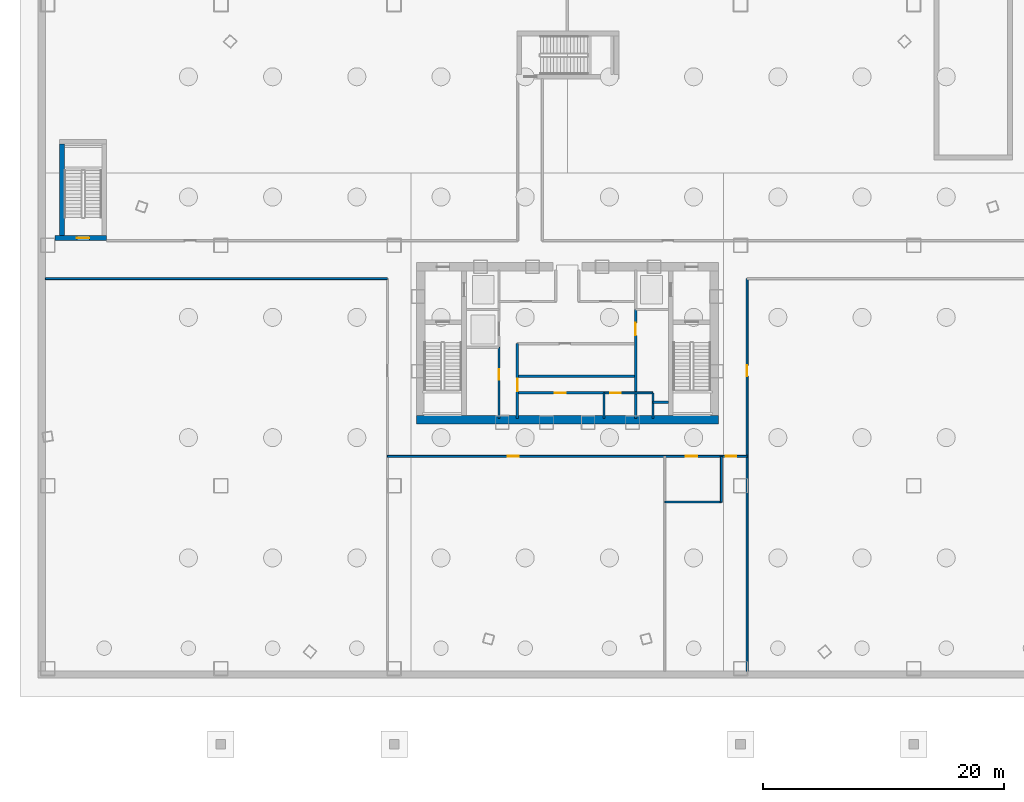
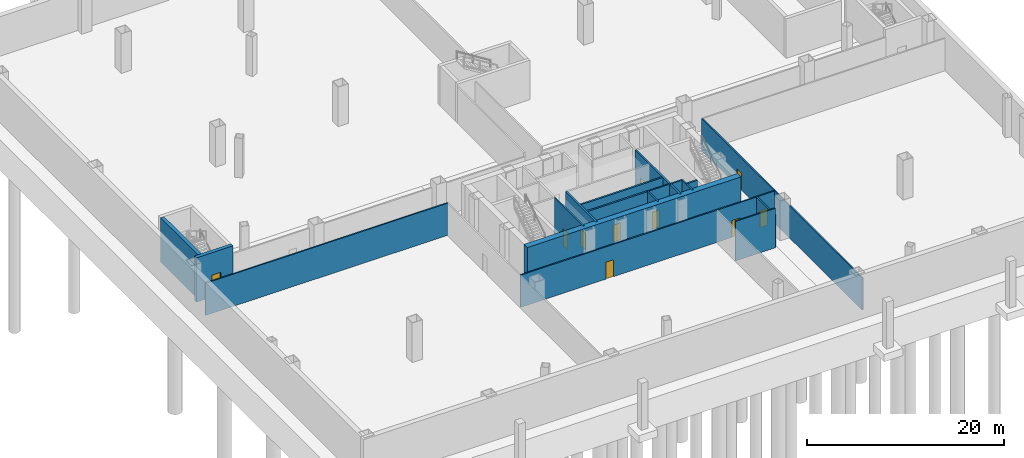
# One storey, part 7 of 15: 17 walls, 10 doors, 10 openings.
"""IFC4 building model written with IfcOpenShell, lengths in metres."""

from ifc_helpers import new_model, si_unit, direction, frame, frame_2d, origin, origin_with_axes, place, context, subcontext, project, spatial, rectangle, extrude, source, transform, mapped, material, layer, layer_set, type_object, element, fill, save


model = new_model("IFC4")

# Units and contexts
model_context = context("Model", 3, precision=1e-05, world=origin(), true_north=direction((0.0, 1.0)))
body_context = subcontext(model_context, "Body", "Model", "MODEL_VIEW")
ifc_project = project(units=[si_unit("LENGTHUNIT", "METRE"), si_unit("AREAUNIT", "SQUARE_METRE"), si_unit("VOLUMEUNIT", "CUBIC_METRE"), si_unit("PLANEANGLEUNIT", "RADIAN"), si_unit("MASSUNIT", "GRAM", prefix="KILO"), si_unit("THERMODYNAMICTEMPERATUREUNIT", "KELVIN"), si_unit("POWERUNIT", "WATT")], contexts=[model_context])

# Site, building, storey
site_placement = place(None, origin())
site = spatial("IfcSite", under=ifc_project, at=site_placement, CompositionType="ELEMENT")
building_placement = place(site_placement, origin())
building = spatial("IfcBuilding", under=site, at=building_placement, Name="Yunzhuo Pagoda Commons", CompositionType="ELEMENT")
storey_placement = place(building_placement, frame((0.0, 0.0, -10.0)))
storey = spatial("IfcBuildingStorey", under=building, at=storey_placement, Name="B02", CompositionType="ELEMENT", Elevation=-10.0)

# Wall
ifc_material_1 = material(Name="Concrete C60", Category="concrete")
ifc_layer_1 = layer(ifc_material_1, 0.699951171875)
ifc_layer_set_1 = layer_set([ifc_layer_1], Name="Concrete C60")
wall_type_1 = type_object("IfcWallType", Name="W-C01 Lower Core Shear Wall 700", PredefinedType="SHEAR", material=ifc_layer_set_1)
wall_1_placement = place(storey_placement, frame((35.449951171875, 27.5, -0.60009765625), z_axis=(0.0, 0.0, 1.0), x_axis=(1.0, 0.0, 0.0)))
element("IfcWall", 1, at=wall_1_placement, inside=storey, type_object=wall_type_1, Name="B02 core shear wall S", PredefinedType="SHEAR", context=body_context, shape_type="SweptSolid", body=[
    extrude(rectangle(XDim=25.10009765625, YDim=0.699951171875, at=frame_2d((12.550048828125, 0.0))), origin(), (0.0, 0.0, 1.0), 5.5),
])

# Wall, opening, door
ifc_material_2 = material(Name="Gypsum plasterboard on acoustic stud")
ifc_layer_2 = layer(ifc_material_2, 0.159912109375)
ifc_layer_set_2 = layer_set([ifc_layer_2], Name="Gypsum plasterboard on acoustic stud")
wall_type_2 = type_object("IfcWallType", Name="W-COR1 Tower Rated Corridor Wall 160", PredefinedType="PARTITIONING", material=ifc_layer_set_2)
wall_2_placement = place(storey_placement, frame((42.320068359375, 27.60009765625, 0.0), z_axis=(0.0, 0.0, 1.0), x_axis=(0.0, 1.0, 0.0)))
wall_2 = element("IfcWall", 2, at=wall_2_placement, inside=storey, type_object=wall_type_2, Name="B02 interior wall IW-B02-CSWE", PredefinedType="PARTITIONING", context=body_context, shape_type="SweptSolid", body=[
    extrude(rectangle(XDim=5.89990234375, YDim=0.159912109375, at=frame_2d((2.949951171875, 0.0))), origin(), (0.0, 0.0, 1.0), 4.89990234375),
])
opening_1_placement = place(wall_2_placement, frame((3.199951171875, 0.0, 0.0)))
opening_1 = element("IfcOpeningElement", 3, at=opening_1_placement, cuts=wall_2, Name="Opening D-03", PredefinedType="OPENING", context=body_context, shape_type="SweptSolid", body=[
    extrude(rectangle(XDim=0.89990234375, YDim=2.10009765625, at=frame_2d((0.449951171875, 1.050048828125))), frame((0.0, 0.08984375, 0.0), z_axis=(0.0, -1.0, 0.0), x_axis=(1.0, 0.0, 0.0)), (0.0, 0.0, 1.0), 0.179931640625),
])
ifc_material_3 = material(Name="Galvanized fire-resisting metal leaf")
door_type_1 = type_object("IfcDoorType", Name="D-03 Core Service Fire Door 900x2100", OperationType="NOTDEFINED", PredefinedType="DOOR", material=ifc_material_3)
shared_shape_1 = source(origin(), body_context, "Body", "SweptSolid", [
    extrude(rectangle(XDim=0.89990234375, YDim=2.10009765625, at=frame_2d((0.449951171875, 1.050048828125))), frame((0.0, 0.02490234375, 0.0), z_axis=(0.0, -1.0, 0.0), x_axis=(1.0, 0.0, 0.0)), (0.0, 0.0, 1.0), 0.050048828125),
])
door_1_placement = place(opening_1_placement, origin_with_axes())
door_1 = element("IfcDoor", 4, at=door_1_placement, inside=storey, type_object=door_type_1, Name="B02 core closet door", OperationType="SINGLE_SWING_LEFT", OverallHeight=2.10009765625, OverallWidth=0.89990234375, PredefinedType="DOOR", context=body_context, shape_type="MappedRepresentation", body=[
    mapped(shared_shape_1, transform((0.0, 0.0, 0.0), scale=1.0)),
])
fill(opening_1, door_1)

wall_3_placement = place(storey_placement, frame((51.050048828125, 29.719970703125, 0.0), z_axis=(0.0, 0.0, 1.0), x_axis=(1.0, 0.0, 0.0)))
wall_3 = element("IfcWall", 5, at=wall_3_placement, inside=storey, type_object=wall_type_2, Name="B02 interior wall IW-B02-CSES", PredefinedType="PARTITIONING", context=body_context, shape_type="SweptSolid", body=[
    extrude(rectangle(XDim=4.070068359375, YDim=0.159912109375, at=frame_2d((2.03515625, 0.0))), origin(), (0.0, 0.0, 1.0), 4.89990234375),
])
opening_2_placement = place(wall_3_placement, frame((0.5, 0.0, 0.0)))
opening_2 = element("IfcOpeningElement", 6, at=opening_2_placement, cuts=wall_3, Name="Opening D-03", PredefinedType="OPENING", context=body_context, shape_type="SweptSolid", body=[
    extrude(rectangle(XDim=0.89990234375, YDim=2.10009765625, at=frame_2d((0.449951171875, 1.050048828125))), frame((0.0, 0.08984375, 0.0), z_axis=(0.0, -1.0, 0.0), x_axis=(1.0, 0.0, 0.0)), (0.0, 0.0, 1.0), 0.179931640625),
])
door_2_placement = place(opening_2_placement, origin_with_axes())
door_2 = element("IfcDoor", 7, at=door_2_placement, inside=storey, type_object=door_type_1, Name="B02 cleaner store door", OperationType="SINGLE_SWING_LEFT", OverallHeight=2.10009765625, OverallWidth=0.89990234375, PredefinedType="DOOR", context=body_context, shape_type="MappedRepresentation", body=[
    mapped(shared_shape_1, transform((0.0, 0.0, 0.0), scale=1.0)),
])
fill(opening_2, door_2)

# Wall
wall_4_placement = place(storey_placement, frame((4.60009765625, 39.219970703125, 0.0), z_axis=(0.0, 0.0, 1.0), x_axis=(1.0, 0.0, 0.0)))
element("IfcWall", 8, at=wall_4_placement, inside=storey, type_object=wall_type_2, Name="B02 interior wall IW-B02-PS3CW", PredefinedType="PARTITIONING", context=body_context, shape_type="SweptSolid", body=[
    extrude(rectangle(XDim=28.449951171875, YDim=0.159912109375, at=frame_2d((14.22509765625, 0.0))), origin(), (0.0, 0.0, 1.0), 4.0),
])

# Wall, opening, door
wall_5_placement = place(storey_placement, frame((62.949951171875, 6.60009765625, 0.0), z_axis=(0.0, 0.0, 1.0), x_axis=(0.0, 1.0, 0.0)))
wall_5 = element("IfcWall", 9, at=wall_5_placement, inside=storey, type_object=wall_type_2, Name="B02 interior wall IW-B02-GENR", PredefinedType="PARTITIONING", context=body_context, shape_type="SweptSolid", body=[
    extrude(rectangle(XDim=32.619873046875, YDim=0.159912109375, at=frame_2d((16.31005859375, 0.0))), origin(), (0.0, 0.0, 1.0), 4.0),
])
opening_3_placement = place(wall_5_placement, frame((24.5, 0.0, 0.0)))
opening_3 = element("IfcOpeningElement", 10, at=opening_3_placement, cuts=wall_5, Name="Opening D-03", PredefinedType="OPENING", context=body_context, shape_type="SweptSolid", body=[
    extrude(rectangle(XDim=0.89990234375, YDim=2.10009765625, at=frame_2d((0.449951171875, 1.050048828125))), frame((0.0, 0.08984375, 0.0), z_axis=(0.0, -1.0, 0.0), x_axis=(1.0, 0.0, 0.0)), (0.0, 0.0, 1.0), 0.179931640625),
])
door_3_placement = place(opening_3_placement, frame((0.89990234375, 0.0, 0.0), z_axis=(0.0, 0.0, 1.0), x_axis=(-1.0, 0.0, 0.0)))
door_3 = element("IfcDoor", 11, at=door_3_placement, inside=storey, type_object=door_type_1, Name="B02 Diesel Generator Hall door", OperationType="SINGLE_SWING_RIGHT", OverallHeight=2.10009765625, OverallWidth=0.89990234375, PredefinedType="DOOR", context=body_context, shape_type="MappedRepresentation", body=[
    mapped(shared_shape_1, transform((0.0, 0.0, 0.0), scale=1.0)),
])
fill(opening_3, door_3)

# Wall, openings, doors
wall_6_placement = place(storey_placement, frame((33.050048828125, 24.449951171875, 0.0), z_axis=(0.0, 0.0, 1.0), x_axis=(1.0, 0.0, 0.0)))
wall_6 = element("IfcWall", 12, at=wall_6_placement, inside=storey, type_object=wall_type_2, Name="B02 interior wall IW-B02-PUMP", PredefinedType="PARTITIONING", context=body_context, shape_type="SweptSolid", body=[
    extrude(rectangle(XDim=29.89990234375, YDim=0.159912109375, at=frame_2d((14.949951171875, 0.0))), origin(), (0.0, 0.0, 1.0), 4.0),
])
opening_4_placement = place(wall_6_placement, frame((10.0, 0.0, 0.0)))
opening_4 = element("IfcOpeningElement", 13, at=opening_4_placement, cuts=wall_6, Name="Opening D-03", PredefinedType="OPENING", context=body_context, shape_type="SweptSolid", body=[
    extrude(rectangle(XDim=0.89990234375, YDim=2.10009765625, at=frame_2d((0.449951171875, 1.050048828125))), frame((0.0, 0.08984375, 0.0), z_axis=(0.0, -1.0, 0.0), x_axis=(1.0, 0.0, 0.0)), (0.0, 0.0, 1.0), 0.179931640625),
])
opening_5_placement = place(wall_6_placement, frame((24.800048828125, 0.0, 0.0)))
opening_5 = element("IfcOpeningElement", 14, at=opening_5_placement, cuts=wall_6, Name="Opening D-11", PredefinedType="OPENING", context=body_context, shape_type="SweptSolid", body=[
    extrude(rectangle(XDim=0.93994140625, YDim=2.10009765625, at=frame_2d((0.469970703125, 1.050048828125))), frame((0.0, 0.08984375, 0.0), z_axis=(0.0, -1.0, 0.0), x_axis=(1.0, 0.0, 0.0)), (0.0, 0.0, 1.0), 0.179931640625),
])
opening_6_placement = place(wall_6_placement, frame((28.10009765625, 0.0, 0.0)))
opening_6 = element("IfcOpeningElement", 15, at=opening_6_placement, cuts=wall_6, Name="Opening D-03", PredefinedType="OPENING", context=body_context, shape_type="SweptSolid", body=[
    extrude(rectangle(XDim=0.89990234375, YDim=2.10009765625, at=frame_2d((0.449951171875, 1.050048828125))), frame((0.0, 0.08984375, 0.0), z_axis=(0.0, -1.0, 0.0), x_axis=(1.0, 0.0, 0.0)), (0.0, 0.0, 1.0), 0.179931640625),
])
door_4_placement = place(opening_4_placement, frame((0.89990234375, 0.0, 0.0), z_axis=(0.0, 0.0, 1.0), x_axis=(-1.0, 0.0, 0.0)))
door_4 = element("IfcDoor", 16, at=door_4_placement, inside=storey, type_object=door_type_1, Name="B02 Pump Room door", OperationType="SINGLE_SWING_LEFT", OverallHeight=2.10009765625, OverallWidth=0.89990234375, PredefinedType="DOOR", context=body_context, shape_type="MappedRepresentation", body=[
    mapped(shared_shape_1, transform((0.0, 0.0, 0.0), scale=1.0)),
])
fill(opening_4, door_4)
door_5_placement = place(opening_6_placement, frame((0.89990234375, 0.0, 0.0), z_axis=(0.0, 0.0, 1.0), x_axis=(-1.0, 0.0, 0.0)))
door_5 = element("IfcDoor", 17, at=door_5_placement, inside=storey, type_object=door_type_1, Name="B02 Switchgear Store door", OperationType="SINGLE_SWING_RIGHT", OverallHeight=2.10009765625, OverallWidth=0.89990234375, PredefinedType="DOOR", context=body_context, shape_type="MappedRepresentation", body=[
    mapped(shared_shape_1, transform((0.0, 0.0, 0.0), scale=1.0)),
])
fill(opening_6, door_5)
door_type_2 = type_object("IfcDoorType", Name="D-11 Accessible Washroom Fire Door 940x2100", OperationType="NOTDEFINED", PredefinedType="DOOR", material=ifc_material_3)
shared_shape_2 = source(origin(), body_context, "Body", "SweptSolid", [
    extrude(rectangle(XDim=0.93994140625, YDim=2.10009765625, at=frame_2d((0.469970703125, 1.050048828125))), frame((0.0, 0.02490234375, 0.0), z_axis=(0.0, -1.0, 0.0), x_axis=(1.0, 0.0, 0.0)), (0.0, 0.0, 1.0), 0.050048828125),
])
door_6_placement = place(opening_5_placement, frame((0.93994140625, 0.0, 0.0), z_axis=(0.0, 0.0, 1.0), x_axis=(-1.0, 0.0, 0.0)))
door_6 = element("IfcDoor", 18, at=door_6_placement, inside=storey, type_object=door_type_2, Name="B02 Plant Staff Accessible WC door", OperationType="SINGLE_SWING_LEFT", OverallHeight=2.10009765625, OverallWidth=0.93994140625, PredefinedType="DOOR", context=body_context, shape_type="MappedRepresentation", body=[
    mapped(shared_shape_2, transform((0.0, 0.0, 0.0), scale=1.0)),
])
fill(opening_5, door_6)

# Walls
wall_7_placement = place(storey_placement, frame((56.10009765625, 20.64990234375, 0.0), z_axis=(0.0, 0.0, 1.0), x_axis=(1.0, 0.0, 0.0)))
element("IfcWall", 19, at=wall_7_placement, inside=storey, type_object=wall_type_2, Name="B02 interior wall IW-B02-BWCS", PredefinedType="PARTITIONING", context=body_context, shape_type="SweptSolid", body=[
    extrude(rectangle(XDim=4.699951171875, YDim=0.159912109375, at=frame_2d((2.35009765625, 0.0))), origin(), (0.0, 0.0, 1.0), 4.89990234375),
])
wall_8_placement = place(storey_placement, frame((60.800048828125, 20.64990234375, 0.0), z_axis=(0.0, 0.0, 1.0), x_axis=(0.0, 1.0, 0.0)))
element("IfcWall", 20, at=wall_8_placement, inside=storey, type_object=wall_type_2, Name="B02 interior wall IW-B02-BWCE", PredefinedType="PARTITIONING", context=body_context, shape_type="SweptSolid", body=[
    extrude(rectangle(XDim=3.800048828125, YDim=0.159912109375, at=frame_2d((1.89990234375, 0.0))), origin(), (0.0, 0.0, 1.0), 4.0),
])

# Wall, opening, door
ifc_layer_3 = layer(ifc_material_1, 0.39990234375)
ifc_layer_set_3 = layer_set([ifc_layer_3], Name="Concrete C60")
wall_type_3 = type_object("IfcWallType", Name="W-S01 Internal Core Shear Web 400", PredefinedType="SHEAR", material=ifc_layer_set_3)
wall_9_placement = place(storey_placement, frame((5.39990234375, 42.60009765625, -0.60009765625), z_axis=(0.0, 0.0, 1.0), x_axis=(1.0, 0.0, 0.0)))
wall_9 = element("IfcWall", 21, at=wall_9_placement, inside=storey, type_object=wall_type_3, Name="B02 PS3 structural stair wall S", PredefinedType="SHEAR", context=body_context, shape_type="SweptSolid", body=[
    extrude(rectangle(XDim=4.300048828125, YDim=0.39990234375, at=frame_2d((2.14990234375, 0.0))), origin(), (0.0, 0.0, 1.0), 5.5),
])
opening_7_placement = place(wall_9_placement, frame((1.820068359375, 0.0, 0.60009765625)))
opening_7 = element("IfcOpeningElement", 22, at=opening_7_placement, cuts=wall_9, Name="Opening D-01", PredefinedType="OPENING", context=body_context, shape_type="SweptSolid", body=[
    extrude(rectangle(XDim=1.050048828125, YDim=2.10009765625, at=frame_2d((0.52490234375, 1.050048828125))), frame((0.0, 0.2099609375, 0.0), z_axis=(0.0, -1.0, 0.0), x_axis=(1.0, 0.0, 0.0)), (0.0, 0.0, 1.0), 0.419921875),
])
door_type_3 = type_object("IfcDoorType", Name="D-01 Smokeproof Stair Fire Door 1050x2100", OperationType="NOTDEFINED", PredefinedType="DOOR", material=ifc_material_3)
shared_shape_3 = source(origin(), body_context, "Body", "SweptSolid", [
    extrude(rectangle(XDim=1.050048828125, YDim=2.10009765625, at=frame_2d((0.52490234375, 1.050048828125))), frame((0.0, 0.02490234375, 0.0), z_axis=(0.0, -1.0, 0.0), x_axis=(1.0, 0.0, 0.0)), (0.0, 0.0, 1.0), 0.050048828125),
])
door_7_placement = place(opening_7_placement, frame((1.050048828125, 0.0, 0.0), z_axis=(0.0, 0.0, 1.0), x_axis=(-1.0, 0.0, 0.0)))
door_7 = element("IfcDoor", 23, at=door_7_placement, inside=storey, type_object=door_type_3, Name="B02 PS3 stair fire door", OperationType="SINGLE_SWING_LEFT", OverallHeight=2.10009765625, OverallWidth=1.050048828125, PredefinedType="DOOR", context=body_context, shape_type="MappedRepresentation", body=[
    mapped(shared_shape_3, transform((0.0, 0.0, 0.0), scale=1.0)),
])
fill(opening_7, door_7)

# Wall
wall_10_placement = place(storey_placement, frame((6.0, 42.800048828125, -0.60009765625), z_axis=(0.0, 0.0, 1.0), x_axis=(0.0, 1.0, 0.0)))
element("IfcWall", 24, at=wall_10_placement, inside=storey, type_object=wall_type_3, Name="B02 PS3 structural stair wall W", PredefinedType="SHEAR", context=body_context, shape_type="SweptSolid", body=[
    extrude(rectangle(XDim=7.599853515625, YDim=0.39990234375, at=frame_2d((3.7998046875, 0.0))), origin(), (0.0, 0.0, 1.0), 5.5),
])

# Wall, opening, door
ifc_material_4 = material(Name="Concrete C40", Category="concrete")
ifc_layer_4 = layer(ifc_material_4, 0.199951171875)
ifc_layer_set_4 = layer_set([ifc_layer_4], Name="Concrete C40")
wall_type_4 = type_object("IfcWallType", Name="W-SHF Shaft & Stair Enclosure Wall 200", PredefinedType="SOLIDWALL", material=ifc_layer_set_4)
wall_11_placement = place(storey_placement, frame((43.85009765625, 27.60009765625, 0.0), z_axis=(0.0, 0.0, 1.0), x_axis=(0.0, 1.0, 0.0)))
wall_11 = element("IfcWall", 25, at=wall_11_placement, inside=storey, type_object=wall_type_4, Name="B02 interior wall IW-B02-PLMW", PredefinedType="SOLIDWALL", context=body_context, shape_type="SweptSolid", body=[
    extrude(rectangle(XDim=6.219970703125, YDim=0.199951171875, at=frame_2d((3.10986328125, 0.0))), origin(), (0.0, 0.0, 1.0), 4.89990234375),
])
opening_8_placement = place(wall_11_placement, frame((2.25, 0.0, 0.0)))
opening_8 = element("IfcOpeningElement", 26, at=opening_8_placement, cuts=wall_11, Name="Opening D-02", PredefinedType="OPENING", context=body_context, shape_type="SweptSolid", body=[
    extrude(rectangle(XDim=1.050048828125, YDim=2.10009765625, at=frame_2d((0.52490234375, 1.050048828125))), frame((0.0, 0.10986328125, 0.0), z_axis=(0.0, -1.0, 0.0), x_axis=(1.0, 0.0, 0.0)), (0.0, 0.0, 1.0), 0.219970703125),
])
door_type_4 = type_object("IfcDoorType", Name="D-02 Firefighting Lobby & Refuge Fire Door 1050x2100", OperationType="NOTDEFINED", PredefinedType="DOOR", material=ifc_material_3)
door_8_placement = place(opening_8_placement, frame((1.050048828125, 0.0, 0.0), z_axis=(0.0, 0.0, 1.0), x_axis=(-1.0, 0.0, 0.0)))
door_8 = element("IfcDoor", 27, at=door_8_placement, inside=storey, type_object=door_type_4, Name="B02 High-bank hall west door", OperationType="SINGLE_SWING_LEFT", OverallHeight=2.10009765625, OverallWidth=1.050048828125, PredefinedType="DOOR", context=body_context, shape_type="MappedRepresentation", body=[
    mapped(shared_shape_3, transform((0.0, 0.0, 0.0), scale=1.0)),
])
fill(opening_8, door_8)

wall_12_placement = place(storey_placement, frame((53.679931640625, 27.60009765625, 0.0), z_axis=(0.0, 0.0, 1.0), x_axis=(0.0, 1.0, 0.0)))
wall_12 = element("IfcWall", 28, at=wall_12_placement, inside=storey, type_object=wall_type_4, Name="B02 interior wall IW-B02-PLME", PredefinedType="SOLIDWALL", context=body_context, shape_type="SweptSolid", body=[
    extrude(rectangle(XDim=9.0498046875, YDim=0.199951171875, at=frame_2d((4.52490234375, 0.0))), origin(), (0.0, 0.0, 1.0), 4.89990234375),
])
opening_9_placement = place(wall_12_placement, frame((6.89990234375, 0.0, 0.0)))
opening_9 = element("IfcOpeningElement", 29, at=opening_9_placement, cuts=wall_12, Name="Opening D-02", PredefinedType="OPENING", context=body_context, shape_type="SweptSolid", body=[
    extrude(rectangle(XDim=1.050048828125, YDim=2.10009765625, at=frame_2d((0.52490234375, 1.050048828125))), frame((0.0, 0.10986328125, 0.0), z_axis=(0.0, -1.0, 0.0), x_axis=(1.0, 0.0, 0.0)), (0.0, 0.0, 1.0), 0.219970703125),
])
door_9_placement = place(opening_9_placement, origin_with_axes())
door_9 = element("IfcDoor", 30, at=door_9_placement, inside=storey, type_object=door_type_4, Name="B02 High-bank lift hall door", OperationType="SINGLE_SWING_RIGHT", OverallHeight=2.10009765625, OverallWidth=1.050048828125, PredefinedType="DOOR", context=body_context, shape_type="MappedRepresentation", body=[
    mapped(shared_shape_3, transform((0.0, 0.0, 0.0), scale=1.0)),
])
fill(opening_9, door_9)

wall_13_placement = place(storey_placement, frame((43.85009765625, 29.719970703125, 0.0), z_axis=(0.0, 0.0, 1.0), x_axis=(1.0, 0.0, 0.0)))
wall_13 = element("IfcWall", 31, at=wall_13_placement, inside=storey, type_object=wall_type_4, Name="B02 interior wall IW-B02-PLHN", PredefinedType="SOLIDWALL", context=body_context, shape_type="SweptSolid", body=[
    extrude(rectangle(XDim=7.199951171875, YDim=0.199951171875, at=frame_2d((3.60009765625, 0.0))), origin(), (0.0, 0.0, 1.0), 4.89990234375),
])
opening_10_placement = place(wall_13_placement, frame((3.10009765625, 0.0, 0.0)))
opening_10 = element("IfcOpeningElement", 32, at=opening_10_placement, cuts=wall_13, Name="Opening D-03", PredefinedType="OPENING", context=body_context, shape_type="SweptSolid", body=[
    extrude(rectangle(XDim=0.89990234375, YDim=2.10009765625, at=frame_2d((0.449951171875, 1.050048828125))), frame((0.0, 0.10986328125, 0.0), z_axis=(0.0, -1.0, 0.0), x_axis=(1.0, 0.0, 0.0)), (0.0, 0.0, 1.0), 0.219970703125),
])
door_10_placement = place(opening_10_placement, origin_with_axes())
door_10 = element("IfcDoor", 33, at=door_10_placement, inside=storey, type_object=door_type_1, Name="B02 plumbing store door", OperationType="SINGLE_SWING_LEFT", OverallHeight=2.10009765625, OverallWidth=0.89990234375, PredefinedType="DOOR", context=body_context, shape_type="MappedRepresentation", body=[
    mapped(shared_shape_1, transform((0.0, 0.0, 0.0), scale=1.0)),
])
fill(opening_10, door_10)

# Walls
wall_14_placement = place(storey_placement, frame((51.050048828125, 27.60009765625, 0.0), z_axis=(0.0, 0.0, 1.0), x_axis=(0.0, 1.0, 0.0)))
element("IfcWall", 34, at=wall_14_placement, inside=storey, type_object=wall_type_4, Name="B02 interior wall IW-B02-PLHE", PredefinedType="SOLIDWALL", context=body_context, shape_type="SweptSolid", body=[
    extrude(rectangle(XDim=2.119873046875, YDim=0.199951171875, at=frame_2d((1.06005859375, 0.0))), origin(), (0.0, 0.0, 1.0), 4.89990234375),
])
wall_15_placement = place(storey_placement, frame((43.85009765625, 31.1201171875, 0.0), z_axis=(0.0, 0.0, 1.0), x_axis=(1.0, 0.0, 0.0)))
element("IfcWall", 35, at=wall_15_placement, inside=storey, type_object=wall_type_4, Name="B02 interior wall IW-B02-PLMS2", PredefinedType="SOLIDWALL", context=body_context, shape_type="SweptSolid", body=[
    extrude(rectangle(XDim=9.829833984375, YDim=0.199951171875, at=frame_2d((4.9150390625, 0.0))), origin(), (0.0, 0.0, 1.0), 4.89990234375),
])
wall_16_placement = place(storey_placement, frame((55.1201171875, 27.60009765625, 0.0), z_axis=(0.0, 0.0, 1.0), x_axis=(0.0, 1.0, 0.0)))
element("IfcWall", 36, at=wall_16_placement, inside=storey, type_object=wall_type_4, Name="B02 interior wall IW-B02-RSHFW", PredefinedType="SOLIDWALL", context=body_context, shape_type="SweptSolid", body=[
    extrude(rectangle(XDim=2.119873046875, YDim=0.199951171875, at=frame_2d((1.06005859375, 0.0))), origin(), (0.0, 0.0, 1.0), 4.89990234375),
])
wall_17_placement = place(storey_placement, frame((55.1201171875, 28.949951171875, 0.0), z_axis=(0.0, 0.0, 1.0), x_axis=(1.0, 0.0, 0.0)))
element("IfcWall", 37, at=wall_17_placement, inside=storey, type_object=wall_type_4, Name="B02 interior wall IW-B02-RSHFN", PredefinedType="SOLIDWALL", context=body_context, shape_type="SweptSolid", body=[
    extrude(rectangle(XDim=1.27978515625, YDim=0.199951171875, at=frame_2d((0.639892578125, 0.0))), origin(), (0.0, 0.0, 1.0), 4.89990234375),
])

save(model, "model.ifc")
